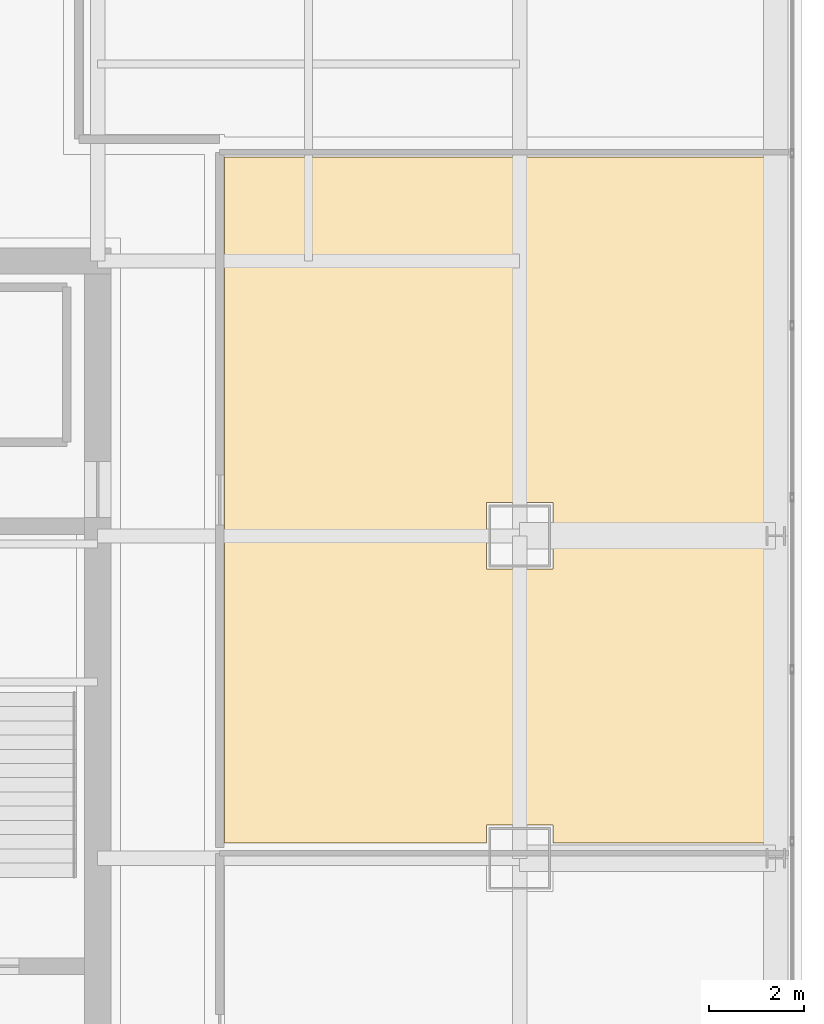
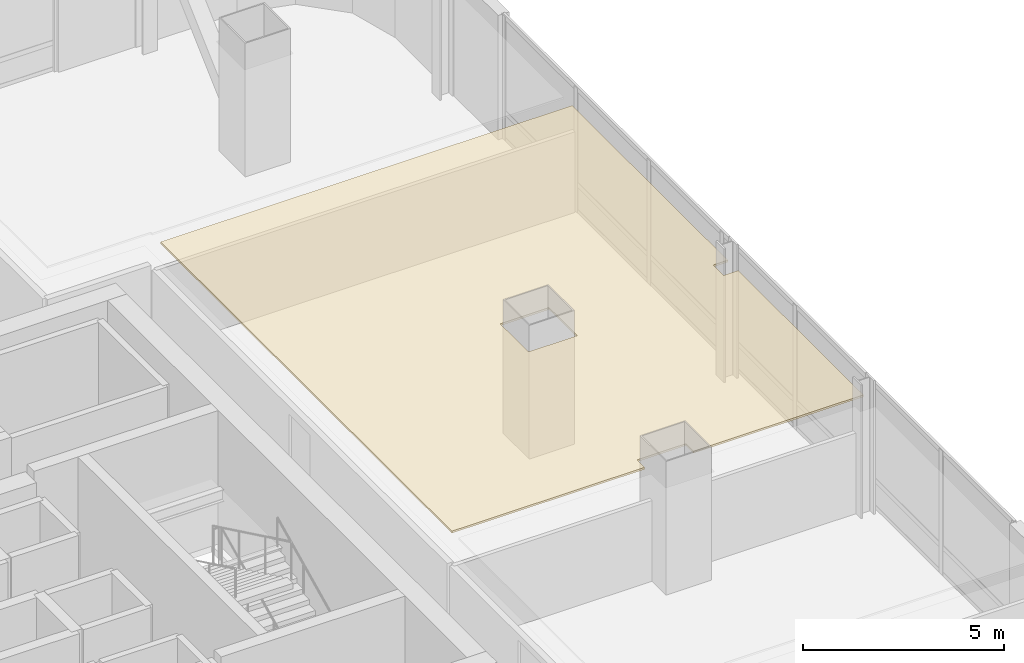
# One storey, part 48 of 51: 1 covering.
"""IFC4 building model written with IfcOpenShell, lengths in metres."""

from ifc_helpers import new_model, si_unit, direction, frame, origin, place, context, subcontext, project, spatial, polyline, outline, extrude, material, layer, layer_set, type_object, element, save


model = new_model("IFC4")

# Units and contexts
model_context = context("Model", 3, precision=1e-05, world=origin(), true_north=direction((0.0, 1.0)))
body_context = subcontext(model_context, "Body", "Model", "MODEL_VIEW")
ifc_project = project(units=[si_unit("LENGTHUNIT", "METRE"), si_unit("AREAUNIT", "SQUARE_METRE"), si_unit("VOLUMEUNIT", "CUBIC_METRE"), si_unit("PLANEANGLEUNIT", "RADIAN"), si_unit("MASSUNIT", "GRAM", prefix="KILO")], contexts=[model_context])

# Site, building, storey
site_placement = place(None, origin())
site = spatial("IfcSite", under=ifc_project, at=site_placement, CompositionType="ELEMENT")
building_placement = place(site_placement, origin())
building = spatial("IfcBuilding", under=site, at=building_placement, Name="Punatoya Terracotta Tower", CompositionType="ELEMENT")
storey_placement = place(building_placement, frame((0.0, 0.0, 279.75)))
storey = spatial("IfcBuildingStorey", under=building, at=storey_placement, Name="L66", CompositionType="ELEMENT", Elevation=279.75)

# Covering
ifc_material = material(Name="Acoustic Mineral Fibre Ceiling")
ifc_layer = layer(ifc_material, 0.06005859375)
ifc_layer_set = layer_set([ifc_layer], Name="Acoustic Mineral Fibre Ceiling")
covering_type = type_object("IfcCoveringType", Name="COV-CEIL-60", PredefinedType="CEILING", material=ifc_layer_set)
covering_placement = place(storey_placement, frame((0.0, 0.0, 3.239990234375)))
element("IfcCovering", 1, at=covering_placement, inside=storey, type_object=covering_type, Name="L66 Wellness Focus Room Acoustic Ceiling", PredefinedType="CEILING", context=body_context, shape_type="SweptSolid", body=[
    extrude(outline(polyline([(24.669921875, 3.657958984375), (24.669921875, 11.389892578125), (12.8701171875, 11.389892578125), (12.8701171875, -3.073974609375), (18.39990234375, -3.073974609375), (18.39990234375, -2.699951171875), (19.800048828125, -2.699951171875), (19.800048828125, -3.073974609375), (24.669921875, -3.073974609375), (24.669921875, 3.14208984375), (24.2470703125, 3.14208984375), (24.2470703125, 3.657958984375), (24.669921875, 3.657958984375)]), holes=[polyline([(18.39990234375, 4.10009765625), (19.800048828125, 4.10009765625), (19.800048828125, 2.699951171875), (18.39990234375, 2.699951171875), (18.39990234375, 4.10009765625)])]), origin(), (0.0, 0.0, 1.0), 0.06005859375),
])

save(model, "model.ifc")
